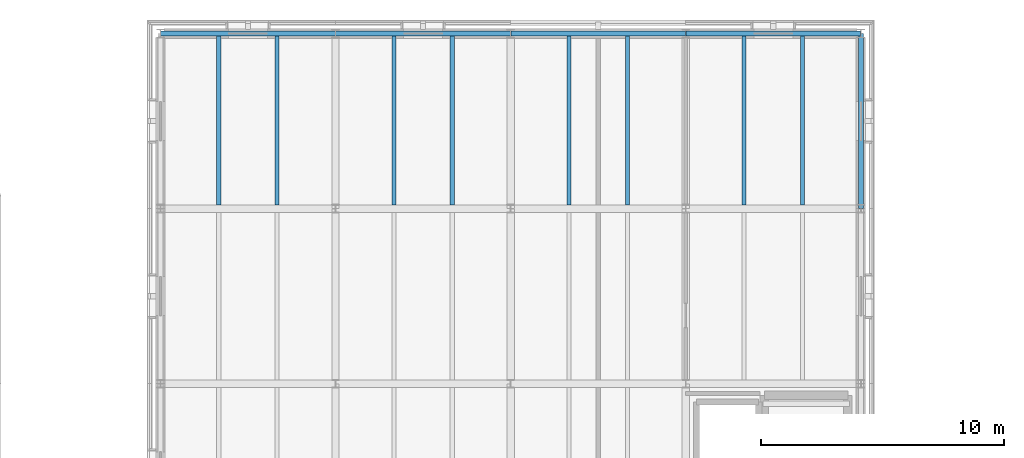
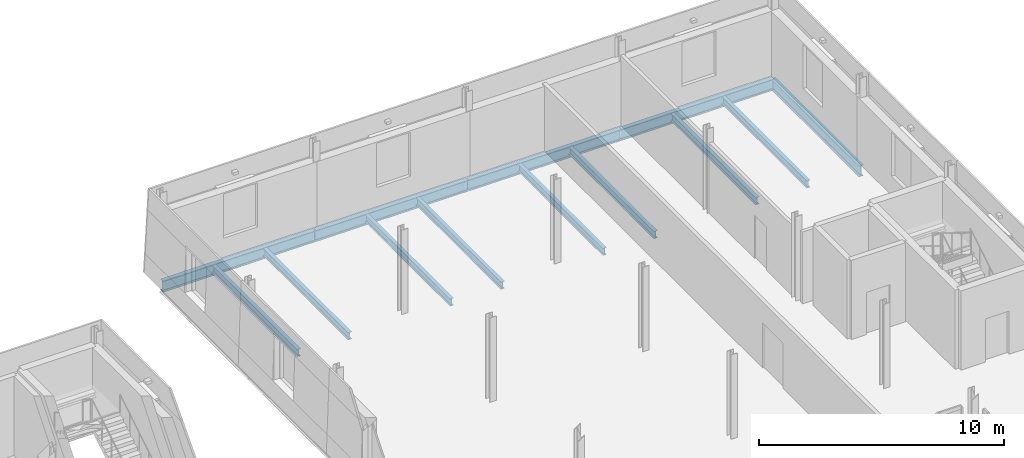
# One storey, part 22 of 91: 13 beams.
"""IFC4 building model written with IfcOpenShell, lengths in metres."""

from ifc_helpers import new_model, si_unit, direction, frame, origin, origin_2d, place, context, subcontext, project, spatial, i_section, extrude, material, material_profile, profile_set, type_object, element, save


model = new_model("IFC4")

# Units and contexts
model_context = context("Model", 3, precision=1e-05, world=origin(), true_north=direction((0.0, 1.0)))
body_context = subcontext(model_context, "Body", "Model", "MODEL_VIEW")
ifc_project = project(units=[si_unit("LENGTHUNIT", "METRE"), si_unit("AREAUNIT", "SQUARE_METRE"), si_unit("VOLUMEUNIT", "CUBIC_METRE"), si_unit("PLANEANGLEUNIT", "RADIAN"), si_unit("MASSUNIT", "GRAM", prefix="KILO")], contexts=[model_context])

# Site, building, storey
site_placement = place(None, origin())
site = spatial("IfcSite", under=ifc_project, at=site_placement, CompositionType="ELEMENT")
building_placement = place(site_placement, origin())
building = spatial("IfcBuilding", under=site, at=building_placement, Name="Narikvali Park Central Library", CompositionType="ELEMENT")
storey_placement = place(building_placement, frame((0.0, 0.0, 14.39990234375)))
storey = spatial("IfcBuildingStorey", under=building, at=storey_placement, Name="L03", CompositionType="ELEMENT", Elevation=14.39990234375)

# Beams
ifc_material = material(Name="Steel S355", Category="steel")
ifc_material_profile_1 = material_profile(ifc_material, i_section(OverallWidth=0.2099609375, OverallDepth=0.550048828125, WebThickness=0.010986328125, FlangeThickness=0.01708984375, FilletRadius=0.02392578125, at=origin_2d()), Name="IPE 550")
ifc_profile_set_1 = profile_set([ifc_material_profile_1], Name="Steel S355")
beam_type_1 = type_object("IfcBeamType", Name="Perimeter Spandrel IPE550", PredefinedType="SPANDREL", material=ifc_profile_set_1)
for number, where, z_axis, x_axis, name in (
    (1, (28.80810546875, 115.199951171875, -0.554931640625), (1.0, 0.0, 0.0), (0.0, 1.0, 0.0), "V4 L03 Girder X"),
    (2, (36.008056640625, 115.199951171875, -0.554931640625), (1.0, 0.0, 0.0), (0.0, 1.0, 0.0), "V4 L03 Girder X"),
):
    element("IfcBeam", number, at=place(storey_placement, frame(where, z_axis=z_axis, x_axis=x_axis)), inside=storey, type_object=beam_type_1, Name=name, PredefinedType="SPANDREL", context=body_context, shape_type="SweptSolid", body=[
        extrude(i_section(OverallWidth=0.2099609375, OverallDepth=0.550048828125, WebThickness=0.010986328125, FlangeThickness=0.01708984375, FilletRadius=0.02392578125, at=origin_2d()), origin(), (0.0, 0.0, 1.0), 7.183837890625),
    ])
for number, where, z_axis, x_axis, name in (
    (3, (43.2080078125, 115.199951171875, -0.554931640625), (1.0, 0.0, 0.0), (0.0, 1.0, 0.0), "V4 L03 Girder X"),
    (4, (50.407958984375, 115.199951171875, -0.554931640625), (1.0, 0.0, 0.0), (0.0, 1.0, 0.0), "V4 L03 Girder X"),
):
    element("IfcBeam", number, at=place(storey_placement, frame(where, z_axis=z_axis, x_axis=x_axis)), inside=storey, type_object=beam_type_1, Name=name, PredefinedType="SPANDREL", context=body_context, shape_type="SweptSolid", body=[
        extrude(i_section(OverallWidth=0.2099609375, OverallDepth=0.550048828125, WebThickness=0.010986328125, FlangeThickness=0.01708984375, FilletRadius=0.02392578125, at=origin_2d()), origin(), (0.0, 0.0, 1.0), 7.18408203125),
    ])
beam_placement = place(storey_placement, frame((57.60009765625, 108.008056640625, -0.554931640625), z_axis=(0.0, 1.0, 0.0), x_axis=(-1.0, 0.0, 0.0)))
element("IfcBeam", 5, at=beam_placement, inside=storey, type_object=beam_type_1, Name="V4 L03 Girder Y", PredefinedType="SPANDREL", context=body_context, shape_type="SweptSolid", body=[
    extrude(i_section(OverallWidth=0.2099609375, OverallDepth=0.550048828125, WebThickness=0.010986328125, FlangeThickness=0.01708984375, FilletRadius=0.02392578125, at=origin_2d()), origin(), (0.0, 0.0, 1.0), 7.183837890625),
])
ifc_material_profile_2 = material_profile(ifc_material, i_section(OverallWidth=0.172119140625, OverallDepth=0.364013671875, WebThickness=0.00927734375, FlangeThickness=0.0146484375, FilletRadius=0.01806640625, at=origin_2d()), Name="IPEO 360")
ifc_profile_set_2 = profile_set([ifc_material_profile_2], Name="Steel S355")
beam_type_2 = type_object("IfcBeamType", Name="Upper Study Joist IPEO360", PredefinedType="JOIST", material=ifc_profile_set_2)
for number, where, z_axis, x_axis, name in (
    (6, (31.199951171875, 108.14990234375, -0.4619140625), (0.0, 1.0, 0.0), (-1.0, 0.0, 0.0), "V4 L03 Composite Joist 1"),
    (7, (33.60009765625, 108.14990234375, -0.4619140625), (0.0, 1.0, 0.0), (-1.0, 0.0, 0.0), "V4 L03 Composite Joist 2"),
    (8, (38.39990234375, 108.14990234375, -0.4619140625), (0.0, 1.0, 0.0), (-1.0, 0.0, 0.0), "V4 L03 Composite Joist 1"),
    (9, (40.800048828125, 108.14990234375, -0.4619140625), (0.0, 1.0, 0.0), (-1.0, 0.0, 0.0), "V4 L03 Composite Joist 2"),
    (10, (45.60009765625, 108.14990234375, -0.4619140625), (0.0, 1.0, 0.0), (-1.0, 0.0, 0.0), "V4 L03 Composite Joist 1"),
    (11, (48.0, 108.14990234375, -0.4619140625), (0.0, 1.0, 0.0), (-1.0, 0.0, 0.0), "V4 L03 Composite Joist 2"),
    (12, (52.800048828125, 108.14990234375, -0.4619140625), (0.0, 1.0, 0.0), (-1.0, 0.0, 0.0), "V4 L03 Composite Joist 1"),
    (13, (55.199951171875, 108.14990234375, -0.4619140625), (0.0, 1.0, 0.0), (-1.0, 0.0, 0.0), "V4 L03 Composite Joist 2"),
):
    element("IfcBeam", number, at=place(storey_placement, frame(where, z_axis=z_axis, x_axis=x_axis)), inside=storey, type_object=beam_type_2, Name=name, PredefinedType="JOIST", context=body_context, shape_type="SweptSolid", body=[
        extrude(i_section(OverallWidth=0.172119140625, OverallDepth=0.364013671875, WebThickness=0.00927734375, FlangeThickness=0.0146484375, FilletRadius=0.01806640625, at=origin_2d()), origin(), (0.0, 0.0, 1.0), 6.945068359375),
    ])

save(model, "model.ifc")
